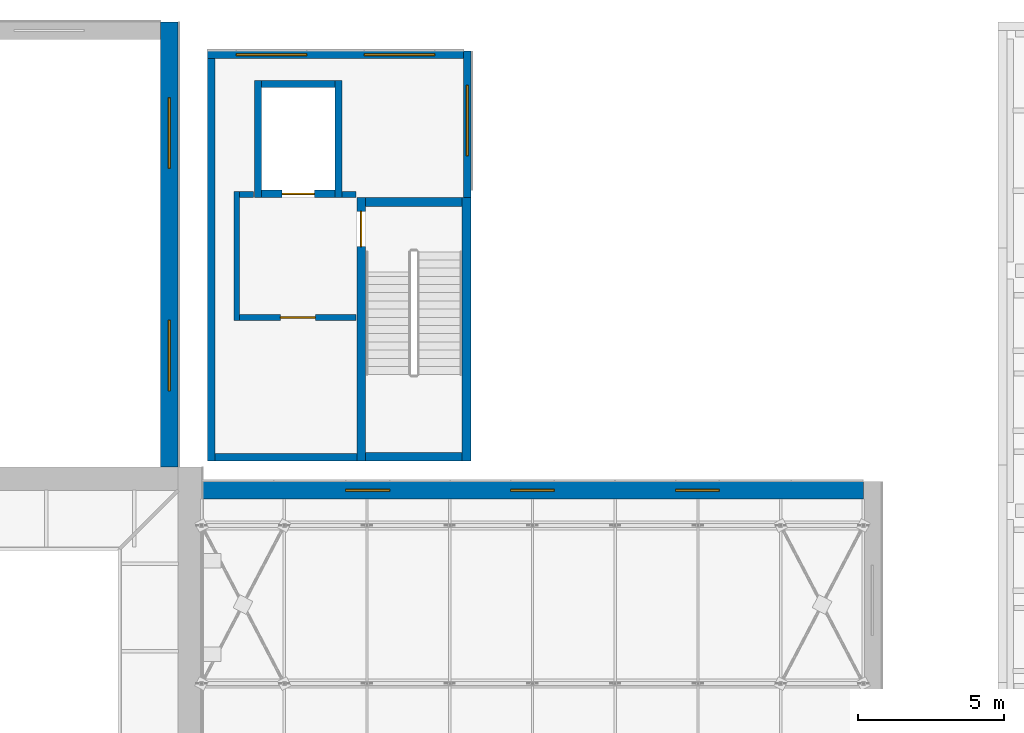
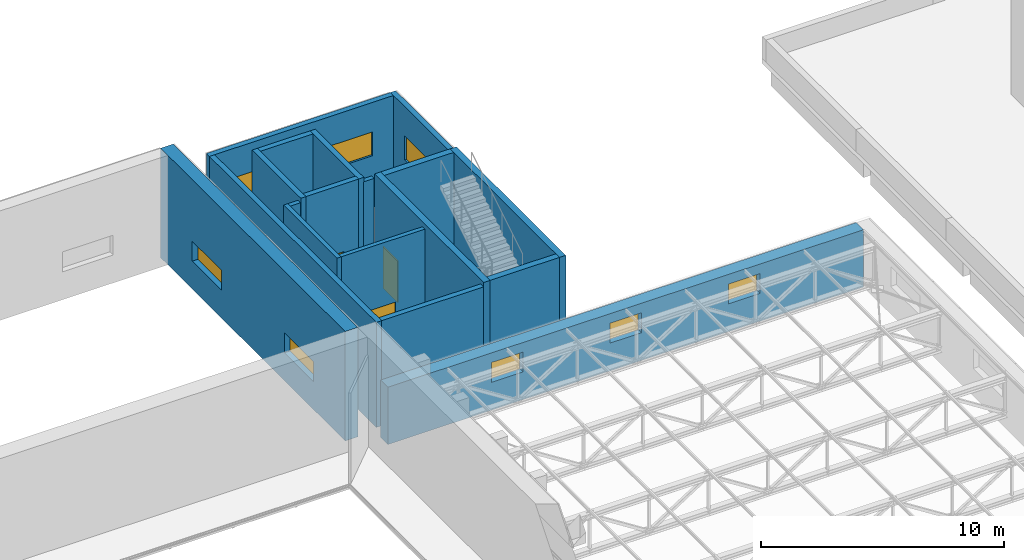
# One storey, part 78 of 132: 18 walls, 8 windows, 3 doors, 11 openings.
"""IFC4 building model written with IfcOpenShell, lengths in metres."""

from ifc_helpers import new_model, si_unit, direction, frame, frame_2d, origin, place, context, subcontext, project, spatial, rectangle, extrude, material, layer, layer_set, type_object, element, fill, save


model = new_model("IFC4")

# Units and contexts
model_context = context("Model", 3, precision=1e-05, world=origin(), true_north=direction((0.0, 1.0)))
body_context = subcontext(model_context, "Body", "Model", "MODEL_VIEW")
ifc_project = project(units=[si_unit("LENGTHUNIT", "METRE"), si_unit("AREAUNIT", "SQUARE_METRE"), si_unit("VOLUMEUNIT", "CUBIC_METRE"), si_unit("PLANEANGLEUNIT", "RADIAN"), si_unit("MASSUNIT", "GRAM", prefix="KILO")], contexts=[model_context])

# Site, building, storey
site_placement = place(None, origin())
site = spatial("IfcSite", under=ifc_project, at=site_placement, CompositionType="ELEMENT")
building_placement = place(site_placement, origin())
building = spatial("IfcBuilding", under=site, at=building_placement, Name="Lunette Opera House", CompositionType="ELEMENT")
storey_placement = place(building_placement, frame((0.0, 0.0, 17.0)))
storey = spatial("IfcBuildingStorey", under=building, at=storey_placement, Name="L03", CompositionType="ELEMENT", Elevation=17.0)

# Walls
ifc_material_1 = material(Name="Concrete C35/45", Category="concrete")
ifc_layer_1 = layer(ifc_material_1, 0.199951171875)
ifc_layer_set_1 = layer_set([ifc_layer_1], Name="Concrete C35/45")
wall_type_1 = type_object("IfcWallType", Name="LOBBY WALL 200", PredefinedType="PARTITIONING", material=ifc_layer_set_1)
wall_1_placement = place(storey_placement, frame((114.080078125, 130.10009765625, 0.0), z_axis=(0.0, 0.0, 1.0), x_axis=(-1.0, 0.0, 0.0)))
element("IfcWall", 1, at=wall_1_placement, inside=storey, type_object=wall_type_1, Name="FL3 lobby wall 2a", PredefinedType="PARTITIONING", context=body_context, shape_type="SweptSolid", body=[
    extrude(rectangle(XDim=0.489990234375, YDim=0.199951171875, at=frame_2d((0.2451171875, 0.0))), origin(), (0.0, 0.0, 1.0), 5.280029296875),
])
wall_2_placement = place(storey_placement, frame((110.580078125, 130.10009765625, 0.0), z_axis=(0.0, 0.0, 1.0), x_axis=(-1.0, 0.0, 0.0)))
element("IfcWall", 2, at=wall_2_placement, inside=storey, type_object=wall_type_1, Name="FL3 lobby wall 2b", PredefinedType="PARTITIONING", context=body_context, shape_type="SweptSolid", body=[
    extrude(rectangle(XDim=0.47998046875, YDim=0.199951171875, at=frame_2d((0.239990234375, 0.0))), origin(), (0.0, 0.0, 1.0), 5.280029296875),
])
wall_3_placement = place(storey_placement, frame((110.0, 130.199951171875, 0.0), z_axis=(0.0, 0.0, 1.0), x_axis=(0.0, -1.0, 0.0)))
element("IfcWall", 3, at=wall_3_placement, inside=storey, type_object=wall_type_1, Name="FL3 lobby wall 3a", PredefinedType="PARTITIONING", context=body_context, shape_type="SweptSolid", body=[
    extrude(rectangle(XDim=4.39990234375, YDim=0.199951171875, at=frame_2d((2.199951171875, 0.0))), origin(), (0.0, 0.0, 1.0), 5.280029296875),
])

# Wall, opening, door
wall_4_placement = place(storey_placement, frame((110.10009765625, 125.89990234375, 0.0), z_axis=(0.0, 0.0, 1.0), x_axis=(1.0, 0.0, 0.0)))
wall_4 = element("IfcWall", 4, at=wall_4_placement, inside=storey, type_object=wall_type_1, Name="FL3 lobby wall 4a", PredefinedType="PARTITIONING", context=body_context, shape_type="SweptSolid", body=[
    extrude(rectangle(XDim=3.97998046875, YDim=0.199951171875, at=frame_2d((1.989990234375, 0.0))), origin(), (0.0, 0.0, 1.0), 5.280029296875),
])
opening_1_placement = place(wall_4_placement, frame((1.389892578125, 0.0, 0.0)))
opening_1 = element("IfcOpeningElement", 5, at=opening_1_placement, cuts=wall_4, Name="Opening ST-D7028", PredefinedType="OPENING", context=body_context, shape_type="SweptSolid", body=[
    extrude(rectangle(XDim=1.199951171875, YDim=2.10009765625, at=frame_2d((0.60009765625, 1.050048828125))), frame((0.0, 0.112060546875, 0.0), z_axis=(0.0, -1.0, 0.0), x_axis=(1.0, 0.0, 0.0)), (0.0, 0.0, 1.0), 0.223876953125),
])
ifc_material_2 = material(Name="Steel", Category="steel")
door_type_1 = type_object("IfcDoorType", Name="FIRE DOOR 1200 X 2100", OperationType="SINGLE_SWING_LEFT", PredefinedType="DOOR", material=ifc_material_2)
door_1_placement = place(opening_1_placement, origin())
door_1 = element("IfcDoor", 6, at=door_1_placement, inside=storey, type_object=door_type_1, Name="FL3 lobby door", OperationType="SINGLE_SWING_LEFT", OverallHeight=2.10009765625, OverallWidth=1.199951171875, PredefinedType="DOOR", context=body_context, shape_type="SweptSolid", body=[
    extrude(rectangle(XDim=1.199951171875, YDim=2.10009765625, at=frame_2d((0.60009765625, 1.050048828125))), frame((0.0, 0.02490234375, 0.0), z_axis=(0.0, -1.0, 0.0), x_axis=(1.0, 0.0, 0.0)), (0.0, 0.0, 1.0), 0.050048828125),
])
fill(opening_1, door_1)

# Walls
ifc_material_3 = material(Name="Concrete C35/45", Category="concrete")
ifc_layer_2 = layer(ifc_material_3, 0.25)
ifc_layer_set_2 = layer_set([ifc_layer_2], Name="Concrete C35/45")
wall_type_2 = type_object("IfcWallType", Name="RC LIFT SHAFT WALL 250", PredefinedType="SOLIDWALL", material=ifc_layer_set_2)
wall_5_placement = place(storey_placement, frame((113.47509765625, 130.0, 0.0), z_axis=(0.0, 0.0, 1.0), x_axis=(0.0, 1.0, 0.0)))
element("IfcWall", 7, at=wall_5_placement, inside=storey, type_object=wall_type_2, Name="FL3 shaft wall 1", PredefinedType="SOLIDWALL", context=body_context, shape_type="SweptSolid", body=[
    extrude(rectangle(XDim=4.0, YDim=0.25, at=frame_2d((2.0, 0.0))), origin(), (0.0, 0.0, 1.0), 5.5),
])
wall_6_placement = place(storey_placement, frame((113.35009765625, 133.875, 0.0), z_axis=(0.0, 0.0, 1.0), x_axis=(-1.0, 0.0, 0.0)))
element("IfcWall", 8, at=wall_6_placement, inside=storey, type_object=wall_type_2, Name="FL3 shaft wall 2", PredefinedType="SOLIDWALL", context=body_context, shape_type="SweptSolid", body=[
    extrude(rectangle(XDim=2.5, YDim=0.25, at=frame_2d((1.25, 0.0))), origin(), (0.0, 0.0, 1.0), 5.5),
])
wall_7_placement = place(storey_placement, frame((110.72509765625, 134.0, 0.0), z_axis=(0.0, 0.0, 1.0), x_axis=(0.0, -1.0, 0.0)))
element("IfcWall", 9, at=wall_7_placement, inside=storey, type_object=wall_type_2, Name="FL3 shaft wall 3", PredefinedType="SOLIDWALL", context=body_context, shape_type="SweptSolid", body=[
    extrude(rectangle(XDim=4.0, YDim=0.25, at=frame_2d((2.0, 0.0))), origin(), (0.0, 0.0, 1.0), 5.5),
])

# Wall, opening, door
wall_8_placement = place(storey_placement, frame((110.85009765625, 130.125, 0.0), z_axis=(0.0, 0.0, 1.0), x_axis=(1.0, 0.0, 0.0)))
wall_8 = element("IfcWall", 10, at=wall_8_placement, inside=storey, type_object=wall_type_2, Name="FL3 shaft wall 4", PredefinedType="SOLIDWALL", context=body_context, shape_type="SweptSolid", body=[
    extrude(rectangle(XDim=2.5, YDim=0.25, at=frame_2d((1.25, 0.0))), origin(), (0.0, 0.0, 1.0), 5.5),
])
opening_2_placement = place(wall_8_placement, frame((0.699951171875, 0.0, 0.0)))
opening_2 = element("IfcOpeningElement", 11, at=opening_2_placement, cuts=wall_8, Name="Opening ST-LD006", PredefinedType="OPENING", context=body_context, shape_type="SweptSolid", body=[
    extrude(rectangle(XDim=1.10009765625, YDim=2.10009765625, at=frame_2d((0.550048828125, 1.050048828125))), frame((0.0, 0.136962890625, 0.0), z_axis=(0.0, -1.0, 0.0), x_axis=(1.0, 0.0, 0.0)), (0.0, 0.0, 1.0), 0.27392578125),
])
ifc_material_4 = material(Name="Stainless steel", Category="steel")
door_type_2 = type_object("IfcDoorType", Name="LIFT LANDING DOOR 1100 X 2100", OperationType="DOUBLE_DOOR_SLIDING", PredefinedType="DOOR", material=ifc_material_4)
door_2_placement = place(opening_2_placement, origin())
door_2 = element("IfcDoor", 12, at=door_2_placement, inside=storey, type_object=door_type_2, Name="FL3 lift landing door", OperationType="DOUBLE_DOOR_SLIDING", OverallHeight=2.10009765625, OverallWidth=1.10009765625, PredefinedType="DOOR", context=body_context, shape_type="SweptSolid", body=[
    extrude(rectangle(XDim=1.10009765625, YDim=2.10009765625, at=frame_2d((0.550048828125, 1.050048828125))), frame((0.0, 0.02490234375, 0.0), z_axis=(0.0, -1.0, 0.0), x_axis=(1.0, 0.0, 0.0)), (0.0, 0.0, 1.0), 0.050048828125),
])
fill(opening_2, door_2)

# Walls
ifc_material_5 = material(Name="Concrete C35/45", Category="concrete")
ifc_layer_3 = layer(ifc_material_5, 0.300048828125)
ifc_layer_set_3 = layer_set([ifc_layer_3], Name="Concrete C35/45")
wall_type_3 = type_object("IfcWallType", Name="RC STAIR ENCLOSURE WALL 300", PredefinedType="SOLIDWALL", material=ifc_layer_set_3)
wall_9_placement = place(storey_placement, frame((117.85009765625, 121.0, 0.0), z_axis=(0.0, 0.0, 1.0), x_axis=(0.0, 1.0, 0.0)))
element("IfcWall", 13, at=wall_9_placement, inside=storey, type_object=wall_type_3, Name="ST12 enclosure wall 1", PredefinedType="SOLIDWALL", context=body_context, shape_type="SweptSolid", body=[
    extrude(rectangle(XDim=9.0, YDim=0.300048828125, at=frame_2d((4.5, 0.0))), origin(), (0.0, 0.0, 1.0), 5.5),
])
wall_10_placement = place(storey_placement, frame((117.699951171875, 129.85009765625, 0.0), z_axis=(0.0, 0.0, 1.0), x_axis=(-1.0, 0.0, 0.0)))
element("IfcWall", 14, at=wall_10_placement, inside=storey, type_object=wall_type_3, Name="ST12 enclosure wall 2", PredefinedType="SOLIDWALL", context=body_context, shape_type="SweptSolid", body=[
    extrude(rectangle(XDim=3.300048828125, YDim=0.300048828125, at=frame_2d((1.64990234375, 0.0))), origin(), (0.0, 0.0, 1.0), 5.5),
])

# Wall, opening, door
wall_11_placement = place(storey_placement, frame((114.25, 130.0, 0.0), z_axis=(0.0, 0.0, 1.0), x_axis=(0.0, -1.0, 0.0)))
wall_11 = element("IfcWall", 15, at=wall_11_placement, inside=storey, type_object=wall_type_3, Name="ST12 enclosure wall 3", PredefinedType="SOLIDWALL", context=body_context, shape_type="SweptSolid", body=[
    extrude(rectangle(XDim=9.0, YDim=0.300048828125, at=frame_2d((4.5, 0.0))), origin(), (0.0, 0.0, 1.0), 5.5),
])
opening_3_placement = place(wall_11_placement, frame((0.47509765625, 0.0, 0.0)))
opening_3 = element("IfcOpeningElement", 16, at=opening_3_placement, cuts=wall_11, Name="Opening ST-D7015", PredefinedType="OPENING", context=body_context, shape_type="SweptSolid", body=[
    extrude(rectangle(XDim=1.199951171875, YDim=2.10009765625, at=frame_2d((0.60009765625, 1.050048828125))), frame((0.0, 0.162109375, 0.0), z_axis=(0.0, -1.0, 0.0), x_axis=(1.0, 0.0, 0.0)), (0.0, 0.0, 1.0), 0.323974609375),
])
door_3_placement = place(opening_3_placement, origin())
door_3 = element("IfcDoor", 17, at=door_3_placement, inside=storey, type_object=door_type_1, Name="ST12 stair door", OperationType="SINGLE_SWING_LEFT", OverallHeight=2.10009765625, OverallWidth=1.199951171875, PredefinedType="DOOR", context=body_context, shape_type="SweptSolid", body=[
    extrude(rectangle(XDim=1.199951171875, YDim=2.10009765625, at=frame_2d((0.60009765625, 1.050048828125))), frame((0.0, 0.02490234375, 0.0), z_axis=(0.0, -1.0, 0.0), x_axis=(1.0, 0.0, 0.0)), (0.0, 0.0, 1.0), 0.050048828125),
])
fill(opening_3, door_3)

# Wall
wall_12_placement = place(storey_placement, frame((114.39990234375, 121.14990234375, 0.0), z_axis=(0.0, 0.0, 1.0), x_axis=(1.0, 0.0, 0.0)))
element("IfcWall", 18, at=wall_12_placement, inside=storey, type_object=wall_type_3, Name="ST12 enclosure wall 4", PredefinedType="SOLIDWALL", context=body_context, shape_type="SweptSolid", body=[
    extrude(rectangle(XDim=3.300048828125, YDim=0.300048828125, at=frame_2d((1.64990234375, 0.0))), origin(), (0.0, 0.0, 1.0), 5.5),
])

# Wall, openings, windows
ifc_material_6 = material(Name="Concrete C35/45", Category="concrete")
ifc_layer_4 = layer(ifc_material_6, 0.60009765625)
ifc_layer_set_4 = layer_set([ifc_layer_4], Name="Concrete C35/45")
wall_type_4 = type_object("IfcWallType", Name="RC WALL 600", PredefinedType="SHEAR", material=ifc_layer_set_4)
wall_13_placement = place(storey_placement, frame((108.800048828125, 120.0, 0.0), z_axis=(0.0, 0.0, 1.0), x_axis=(1.0, 0.0, 0.0)))
wall_13 = element("IfcWall", 19, at=wall_13_placement, inside=storey, type_object=wall_type_4, Name="wall-ST-L03-SE-N-1", PredefinedType="SHEAR", context=body_context, shape_type="SweptSolid", body=[
    extrude(rectangle(XDim=22.599853515625, YDim=0.60009765625, at=frame_2d((11.2998046875, 0.0))), origin(), (0.0, 0.0, 1.0), 2.8798828125),
])
opening_4_placement = place(wall_13_placement, frame((4.9169921875, 0.0, 1.39990234375)))
opening_4 = element("IfcOpeningElement", 20, at=opening_4_placement, cuts=wall_13, Name="Opening ST-N2106", PredefinedType="OPENING", context=body_context, shape_type="SweptSolid", body=[
    extrude(rectangle(XDim=1.5, YDim=1.0, at=frame_2d((0.75, 0.5))), frame((0.0, 0.31201171875, 0.0), z_axis=(0.0, -1.0, 0.0), x_axis=(1.0, 0.0, 0.0)), (0.0, 0.0, 1.0), 0.6240234375),
])
opening_5_placement = place(wall_13_placement, frame((10.550048828125, 0.0, 1.39990234375)))
opening_5 = element("IfcOpeningElement", 21, at=opening_5_placement, cuts=wall_13, Name="Opening ST-N2107", PredefinedType="OPENING", context=body_context, shape_type="SweptSolid", body=[
    extrude(rectangle(XDim=1.5, YDim=1.0, at=frame_2d((0.75, 0.5))), frame((0.0, 0.31201171875, 0.0), z_axis=(0.0, -1.0, 0.0), x_axis=(1.0, 0.0, 0.0)), (0.0, 0.0, 1.0), 0.6240234375),
])
opening_6_placement = place(wall_13_placement, frame((16.18310546875, 0.0, 1.39990234375)))
opening_6 = element("IfcOpeningElement", 22, at=opening_6_placement, cuts=wall_13, Name="Opening ST-N2108", PredefinedType="OPENING", context=body_context, shape_type="SweptSolid", body=[
    extrude(rectangle(XDim=1.5, YDim=1.0, at=frame_2d((0.75, 0.5))), frame((0.0, 0.31201171875, 0.0), z_axis=(0.0, -1.0, 0.0), x_axis=(1.0, 0.0, 0.0)), (0.0, 0.0, 1.0), 0.6240234375),
])
ifc_material_7 = material(Name="Aluminium", Category="aluminium")
window_type_1 = type_object("IfcWindowType", Name="STAGE CLERESTORY WINDOW 1500 X 1000", PartitioningType="SINGLE_PANEL", PredefinedType="WINDOW", material=ifc_material_7)
window_1_placement = place(opening_4_placement, origin())
window_1 = element("IfcWindow", 23, at=window_1_placement, inside=storey, type_object=window_type_1, Name="Stage Clerestory Window 1500 X 1000 SE-N1 L03", OverallHeight=1.0, OverallWidth=1.5, PartitioningType="SINGLE_PANEL", PredefinedType="WINDOW", context=body_context, shape_type="SweptSolid", body=[
    extrude(rectangle(XDim=1.5, YDim=1.0, at=frame_2d((0.75, 0.5))), frame((0.0, 0.030029296875, 0.0), z_axis=(0.0, -1.0, 0.0), x_axis=(1.0, 0.0, 0.0)), (0.0, 0.0, 1.0), 0.06005859375),
])
fill(opening_4, window_1)
window_2_placement = place(opening_5_placement, origin())
window_2 = element("IfcWindow", 24, at=window_2_placement, inside=storey, type_object=window_type_1, Name="Stage Clerestory Window 1500 X 1000 SE-N2 L03", OverallHeight=1.0, OverallWidth=1.5, PartitioningType="SINGLE_PANEL", PredefinedType="WINDOW", context=body_context, shape_type="SweptSolid", body=[
    extrude(rectangle(XDim=1.5, YDim=1.0, at=frame_2d((0.75, 0.5))), frame((0.0, 0.030029296875, 0.0), z_axis=(0.0, -1.0, 0.0), x_axis=(1.0, 0.0, 0.0)), (0.0, 0.0, 1.0), 0.06005859375),
])
fill(opening_5, window_2)
window_3_placement = place(opening_6_placement, origin())
window_3 = element("IfcWindow", 25, at=window_3_placement, inside=storey, type_object=window_type_1, Name="Stage Clerestory Window 1500 X 1000 SE-N3 L03", OverallHeight=1.0, OverallWidth=1.5, PartitioningType="SINGLE_PANEL", PredefinedType="WINDOW", context=body_context, shape_type="SweptSolid", body=[
    extrude(rectangle(XDim=1.5, YDim=1.0, at=frame_2d((0.75, 0.5))), frame((0.0, 0.030029296875, 0.0), z_axis=(0.0, -1.0, 0.0), x_axis=(1.0, 0.0, 0.0)), (0.0, 0.0, 1.0), 0.06005859375),
])
fill(opening_6, window_3)

wall_14_placement = place(storey_placement, frame((107.699951171875, 120.800048828125, 0.0), z_axis=(0.0, 0.0, 1.0), x_axis=(0.0, 1.0, 0.0)))
wall_14 = element("IfcWall", 26, at=wall_14_placement, inside=storey, type_object=wall_type_4, Name="wall-ST-L03-SR-E-1", PredefinedType="SHEAR", context=body_context, shape_type="SweptSolid", body=[
    extrude(rectangle(XDim=15.199951171875, YDim=0.60009765625, at=frame_2d((7.60009765625, 0.0))), origin(), (0.0, 0.0, 1.0), 5.5),
])
opening_7_placement = place(wall_14_placement, frame((2.60009765625, 0.0, 1.39990234375)))
opening_7 = element("IfcOpeningElement", 27, at=opening_7_placement, cuts=wall_14, Name="Opening ST-N2119", PredefinedType="OPENING", context=body_context, shape_type="SweptSolid", body=[
    extrude(rectangle(XDim=2.39990234375, YDim=1.0, at=frame_2d((1.199951171875, 0.5))), frame((0.0, 0.31201171875, 0.0), z_axis=(0.0, -1.0, 0.0), x_axis=(1.0, 0.0, 0.0)), (0.0, 0.0, 1.0), 0.6240234375),
])
opening_8_placement = place(wall_14_placement, frame((10.199951171875, 0.0, 1.39990234375)))
opening_8 = element("IfcOpeningElement", 28, at=opening_8_placement, cuts=wall_14, Name="Opening ST-N2120", PredefinedType="OPENING", context=body_context, shape_type="SweptSolid", body=[
    extrude(rectangle(XDim=2.39990234375, YDim=1.0, at=frame_2d((1.199951171875, 0.5))), frame((0.0, 0.31201171875, 0.0), z_axis=(0.0, -1.0, 0.0), x_axis=(1.0, 0.0, 0.0)), (0.0, 0.0, 1.0), 0.6240234375),
])
ifc_material_8 = material(Name="Aluminium", Category="aluminium")
window_type_2 = type_object("IfcWindowType", Name="STAGE CLERESTORY WINDOW 2400 X 1000", PartitioningType="SINGLE_PANEL", PredefinedType="WINDOW", material=ifc_material_8)
window_4_placement = place(opening_7_placement, origin())
window_4 = element("IfcWindow", 29, at=window_4_placement, inside=storey, type_object=window_type_2, Name="Stage Clerestory Window 2400 X 1000 SR-E1 L03", OverallHeight=1.0, OverallWidth=2.39990234375, PartitioningType="SINGLE_PANEL", PredefinedType="WINDOW", context=body_context, shape_type="SweptSolid", body=[
    extrude(rectangle(XDim=2.39990234375, YDim=1.0, at=frame_2d((1.199951171875, 0.5))), frame((0.0, 0.030029296875, 0.0), z_axis=(0.0, -1.0, 0.0), x_axis=(1.0, 0.0, 0.0)), (0.0, 0.0, 1.0), 0.06005859375),
])
fill(opening_7, window_4)
window_5_placement = place(opening_8_placement, origin())
window_5 = element("IfcWindow", 30, at=window_5_placement, inside=storey, type_object=window_type_2, Name="Stage Clerestory Window 2400 X 1000 SR-E2 L03", OverallHeight=1.0, OverallWidth=2.39990234375, PartitioningType="SINGLE_PANEL", PredefinedType="WINDOW", context=body_context, shape_type="SweptSolid", body=[
    extrude(rectangle(XDim=2.39990234375, YDim=1.0, at=frame_2d((1.199951171875, 0.5))), frame((0.0, 0.030029296875, 0.0), z_axis=(0.0, -1.0, 0.0), x_axis=(1.0, 0.0, 0.0)), (0.0, 0.0, 1.0), 0.06005859375),
])
fill(opening_8, window_5)

# Wall, opening, window
ifc_material_9 = material(Name="Insulated aluminium sandwich panel", Category="aluminium")
ifc_layer_5 = layer(ifc_material_9, 0.25)
ifc_layer_set_5 = layer_set([ifc_layer_5], Name="Insulated aluminium sandwich panel")
wall_type_5 = type_object("IfcWallType", Name="STAGE TOWER WALL 250", PredefinedType="SOLIDWALL", material=ifc_layer_set_5)
wall_15_placement = place(storey_placement, frame((117.875, 129.9951171875, 0.0), z_axis=(0.0, 0.0, 1.0), x_axis=(0.0, 1.0, 0.0)))
wall_15 = element("IfcWall", 31, at=wall_15_placement, inside=storey, type_object=wall_type_5, Name="Stage Tower Wall 250 TE-027 L03", PredefinedType="SOLIDWALL", context=body_context, shape_type="SweptSolid", body=[
    extrude(rectangle(XDim=5.0048828125, YDim=0.25, at=frame_2d((2.50244140625, 0.0))), origin(), (0.0, 0.0, 1.0), 5.280029296875),
])
opening_9_placement = place(wall_15_placement, frame((1.429931640625, 0.0, 2.60009765625)))
opening_9 = element("IfcOpeningElement", 32, at=opening_9_placement, cuts=wall_15, Name="Opening ST-N2139", PredefinedType="OPENING", context=body_context, shape_type="SweptSolid", body=[
    extrude(rectangle(XDim=2.39990234375, YDim=1.199951171875, at=frame_2d((1.199951171875, 0.60009765625))), frame((0.0, 0.136962890625, 0.0), z_axis=(0.0, -1.0, 0.0), x_axis=(1.0, 0.0, 0.0)), (0.0, 0.0, 1.0), 0.27392578125),
])
ifc_material_10 = material(Name="Aluminium", Category="aluminium")
window_type_3 = type_object("IfcWindowType", Name="TOWER RIBBON WINDOW 2400 X 1200", PartitioningType="SINGLE_PANEL", PredefinedType="WINDOW", material=ifc_material_10)
window_6_placement = place(opening_9_placement, origin())
window_6 = element("IfcWindow", 33, at=window_6_placement, inside=storey, type_object=window_type_3, Name="Tower Ribbon Window 2400 X 1200 TTW27-1 L03", OverallHeight=1.199951171875, OverallWidth=2.39990234375, PartitioningType="SINGLE_PANEL", PredefinedType="WINDOW", context=body_context, shape_type="SweptSolid", body=[
    extrude(rectangle(XDim=2.39990234375, YDim=1.199951171875, at=frame_2d((1.199951171875, 0.60009765625))), frame((0.0, 0.030029296875, 0.0), z_axis=(0.0, -1.0, 0.0), x_axis=(1.0, 0.0, 0.0)), (0.0, 0.0, 1.0), 0.06005859375),
])
fill(opening_9, window_6)

# Wall, openings, windows
wall_16_placement = place(storey_placement, frame((117.75, 134.875, 0.0), z_axis=(0.0, 0.0, 1.0), x_axis=(-1.0, 0.0, 0.0)))
wall_16 = element("IfcWall", 34, at=wall_16_placement, inside=storey, type_object=wall_type_5, Name="Stage Tower Wall 250 TE-028 L03", PredefinedType="SOLIDWALL", context=body_context, shape_type="SweptSolid", body=[
    extrude(rectangle(XDim=8.75, YDim=0.25, at=frame_2d((4.375, 0.0))), origin(), (0.0, 0.0, 1.0), 5.280029296875),
])
opening_10_placement = place(wall_16_placement, frame((0.988037109375, 0.0, 2.60009765625)))
opening_10 = element("IfcOpeningElement", 35, at=opening_10_placement, cuts=wall_16, Name="Opening ST-N2140", PredefinedType="OPENING", context=body_context, shape_type="SweptSolid", body=[
    extrude(rectangle(XDim=2.39990234375, YDim=1.199951171875, at=frame_2d((1.199951171875, 0.60009765625))), frame((0.0, 0.136962890625, 0.0), z_axis=(0.0, -1.0, 0.0), x_axis=(1.0, 0.0, 0.0)), (0.0, 0.0, 1.0), 0.27392578125),
])
opening_11_placement = place(wall_16_placement, frame((5.362060546875, 0.0, 2.60009765625)))
opening_11 = element("IfcOpeningElement", 36, at=opening_11_placement, cuts=wall_16, Name="Opening ST-N2141", PredefinedType="OPENING", context=body_context, shape_type="SweptSolid", body=[
    extrude(rectangle(XDim=2.39990234375, YDim=1.199951171875, at=frame_2d((1.199951171875, 0.60009765625))), frame((0.0, 0.136962890625, 0.0), z_axis=(0.0, -1.0, 0.0), x_axis=(1.0, 0.0, 0.0)), (0.0, 0.0, 1.0), 0.27392578125),
])
window_7_placement = place(opening_10_placement, origin())
window_7 = element("IfcWindow", 37, at=window_7_placement, inside=storey, type_object=window_type_3, Name="Tower Ribbon Window 2400 X 1200 TTW28-1 L03", OverallHeight=1.199951171875, OverallWidth=2.39990234375, PartitioningType="SINGLE_PANEL", PredefinedType="WINDOW", context=body_context, shape_type="SweptSolid", body=[
    extrude(rectangle(XDim=2.39990234375, YDim=1.199951171875, at=frame_2d((1.199951171875, 0.60009765625))), frame((0.0, 0.030029296875, 0.0), z_axis=(0.0, -1.0, 0.0), x_axis=(1.0, 0.0, 0.0)), (0.0, 0.0, 1.0), 0.06005859375),
])
fill(opening_10, window_7)
window_8_placement = place(opening_11_placement, origin())
window_8 = element("IfcWindow", 38, at=window_8_placement, inside=storey, type_object=window_type_3, Name="Tower Ribbon Window 2400 X 1200 TTW28-2 L03", OverallHeight=1.199951171875, OverallWidth=2.39990234375, PartitioningType="SINGLE_PANEL", PredefinedType="WINDOW", context=body_context, shape_type="SweptSolid", body=[
    extrude(rectangle(XDim=2.39990234375, YDim=1.199951171875, at=frame_2d((1.199951171875, 0.60009765625))), frame((0.0, 0.030029296875, 0.0), z_axis=(0.0, -1.0, 0.0), x_axis=(1.0, 0.0, 0.0)), (0.0, 0.0, 1.0), 0.06005859375),
])
fill(opening_11, window_8)

# Walls
wall_17_placement = place(storey_placement, frame((109.125, 134.75, 0.0), z_axis=(0.0, 0.0, 1.0), x_axis=(0.0, -1.0, 0.0)))
element("IfcWall", 39, at=wall_17_placement, inside=storey, type_object=wall_type_5, Name="Stage Tower Wall 250 TE-029 L03", PredefinedType="SOLIDWALL", context=body_context, shape_type="SweptSolid", body=[
    extrude(rectangle(XDim=13.75, YDim=0.25, at=frame_2d((6.875, 0.0))), origin(), (0.0, 0.0, 1.0), 5.280029296875),
])
wall_18_placement = place(storey_placement, frame((109.25, 121.125, 0.0), z_axis=(0.0, 0.0, 1.0), x_axis=(1.0, 0.0, 0.0)))
element("IfcWall", 40, at=wall_18_placement, inside=storey, type_object=wall_type_5, Name="Stage Tower Wall 250 TE-030 L03", PredefinedType="SOLIDWALL", context=body_context, shape_type="SweptSolid", body=[
    extrude(rectangle(XDim=4.85205078125, YDim=0.25, at=frame_2d((2.426025390625, 0.0))), origin(), (0.0, 0.0, 1.0), 5.280029296875),
])

save(model, "model.ifc")
